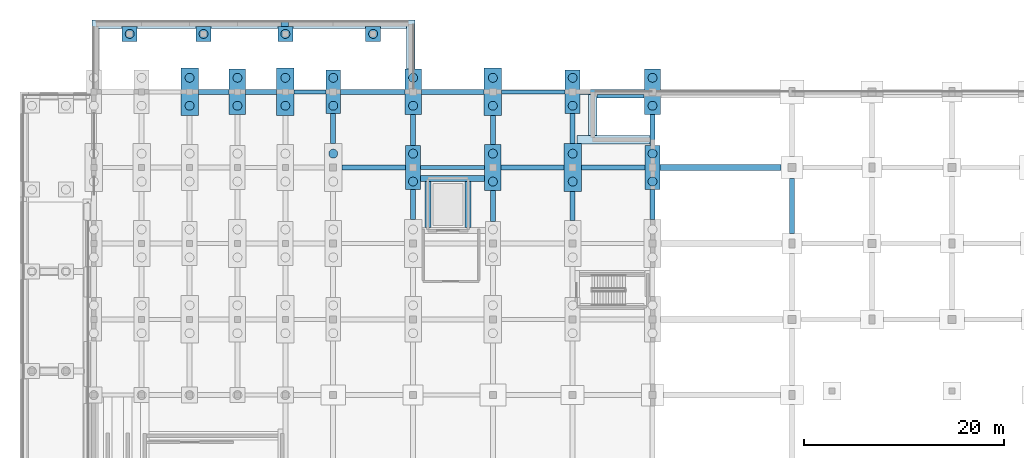
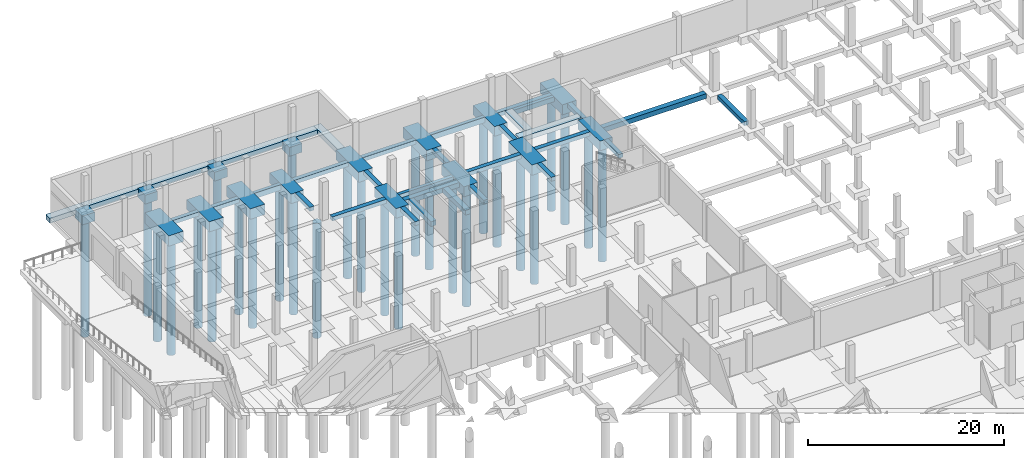
# One storey, part 25 of 50: 50 footings, 29 piles.
"""IFC4 building model written with IfcOpenShell, lengths in metres."""

from ifc_helpers import new_model, si_unit, direction, frame, origin, origin_2d, place, context, subcontext, project, spatial, polyline, rectangle, circle, outline, extrude, material, material_profile, profile_set, type_object, element, save


model = new_model("IFC4")

# Units and contexts
model_context = context("Model", 3, precision=1e-05, world=origin(), true_north=direction((0.0, 1.0)))
body_context = subcontext(model_context, "Body", "Model", "MODEL_VIEW")
ifc_project = project(units=[si_unit("LENGTHUNIT", "METRE"), si_unit("AREAUNIT", "SQUARE_METRE"), si_unit("VOLUMEUNIT", "CUBIC_METRE"), si_unit("PLANEANGLEUNIT", "RADIAN"), si_unit("MASSUNIT", "GRAM", prefix="KILO")], contexts=[model_context])

# Site, building, storey
site_placement = place(None, origin())
site = spatial("IfcSite", under=ifc_project, at=site_placement, CompositionType="ELEMENT")
building_placement = place(site_placement, origin())
building = spatial("IfcBuilding", under=site, at=building_placement, Name="Vekula Escarpment Museum", CompositionType="ELEMENT")
storey_placement = place(building_placement, frame((0.0, 0.0, -4.800048828125)))
storey = spatial("IfcBuildingStorey", under=building, at=storey_placement, Name="B1", CompositionType="ELEMENT", Elevation=-4.800048828125)

# Footings
ifc_material_1 = material(Name="Concrete C35/45", Category="concrete")
footing_type_1 = type_object("IfcFootingType", Name="FB-STRIP-600", PredefinedType="STRIP_FOOTING", material=ifc_material_1)
footing_1_placement = place(storey_placement, frame((0.0, 0.0, -0.599853515625)))
element("IfcFooting", 1, at=footing_1_placement, inside=storey, type_object=footing_type_1, Name="Plinth Wall Strip Footing 0026", PredefinedType="STRIP_FOOTING", context=body_context, shape_type="SweptSolid", body=[
    extrude(outline(polyline([(48.87890625, 130.780029296875), (48.87890625, 130.803955078125), (48.43896484375, 130.803955078125), (48.43896484375, 131.6201171875), (55.74609375, 131.6201171875), (55.74609375, 130.780029296875), (48.87890625, 130.780029296875)])), origin(), (0.0, 0.0, 1.0), 0.599853515625),
])
footing_2_placement = place(storey_placement, frame((0.0, 0.0, -0.599853515625)))
element("IfcFooting", 2, at=footing_2_placement, inside=storey, type_object=footing_type_1, Name="Plinth Wall Strip Footing 0027", PredefinedType="STRIP_FOOTING", context=body_context, shape_type="SweptSolid", body=[
    extrude(outline(polyline([(50.419921875, 131.6240234375), (49.580078125, 131.6240234375), (49.580078125, 135.74609375), (50.419921875, 135.74609375), (50.419921875, 131.6240234375)])), origin(), (0.0, 0.0, 1.0), 0.599853515625),
])
footing_3_placement = place(storey_placement, frame((0.0, 0.0, -0.599853515625)))
element("IfcFooting", 3, at=footing_3_placement, inside=storey, type_object=footing_type_1, Name="Plinth Wall Strip Footing 0118", PredefinedType="STRIP_FOOTING", context=body_context, shape_type="SweptSolid", body=[
    extrude(outline(polyline([(50.424072265625, 135.35498046875), (50.424072265625, 135.74609375), (55.1708984375, 135.74609375), (55.1708984375, 135.35498046875), (50.424072265625, 135.35498046875)])), origin(), (0.0, 0.0, 1.0), 0.599853515625),
])
footing_4_placement = place(storey_placement, frame((0.0, 0.0, -0.599853515625)))
element("IfcFooting", 4, at=footing_4_placement, inside=storey, type_object=footing_type_1, Name="Plinth Wall Strip Footing 0119", PredefinedType="STRIP_FOOTING", context=body_context, shape_type="SweptSolid", body=[
    extrude(outline(polyline([(31.35498046875, 143.195068359375), (32.195068359375, 143.195068359375), (32.195068359375, 138.303955078125), (31.35498046875, 138.303955078125), (31.35498046875, 143.195068359375)])), origin(), (0.0, 0.0, 1.0), 0.599853515625),
])
footing_5_placement = place(storey_placement, frame((0.0, 0.0, -0.599853515625)))
element("IfcFooting", 5, at=footing_5_placement, inside=storey, type_object=footing_type_1, Name="Plinth Wall Strip Footing 0120", PredefinedType="STRIP_FOOTING", context=body_context, shape_type="SweptSolid", body=[
    extrude(outline(polyline([(19.9541015625, 142.35498046875), (19.9541015625, 142.553955078125), (19.513916015625, 142.553955078125), (19.513916015625, 143.195068359375), (31.35107421875, 143.195068359375), (31.35107421875, 142.35498046875), (28.75390625, 142.35498046875), (28.75390625, 142.553955078125), (27.24609375, 142.553955078125), (27.24609375, 142.35498046875), (19.9541015625, 142.35498046875)])), origin(), (0.0, 0.0, 1.0), 0.599853515625),
])
footing_6_placement = place(storey_placement, frame((0.0, 0.0, -0.599853515625)))
element("IfcFooting", 6, at=footing_6_placement, inside=storey, type_object=footing_type_1, Name="Plinth Wall Strip Footing 0121", PredefinedType="STRIP_FOOTING", context=body_context, shape_type="SweptSolid", body=[
    extrude(outline(polyline([(18.760009765625, 143.195068359375), (19.510009765625, 143.195068359375), (19.510009765625, 142.553955078125), (18.760009765625, 142.553955078125), (18.760009765625, 143.195068359375)])), origin(), (0.0, 0.0, 1.0), 0.599853515625),
])
footing_7_placement = place(storey_placement, frame((0.0, 0.0, -0.599853515625)))
element("IfcFooting", 7, at=footing_7_placement, inside=storey, type_object=footing_type_1, Name="Plinth Wall Strip Footing 0122", PredefinedType="STRIP_FOOTING", context=body_context, shape_type="SweptSolid", body=[
    extrude(outline(polyline([(11.75390625, 142.35498046875), (11.75390625, 142.553955078125), (11.31396484375, 142.553955078125), (11.31396484375, 143.195068359375), (18.756103515625, 143.195068359375), (18.756103515625, 142.553955078125), (18.446044921875, 142.553955078125), (18.446044921875, 142.35498046875), (11.75390625, 142.35498046875)])), origin(), (0.0, 0.0, 1.0), 0.599853515625),
])
footing_8_placement = place(storey_placement, frame((0.0, 0.0, -0.599853515625)))
element("IfcFooting", 8, at=footing_8_placement, inside=storey, type_object=footing_type_1, Name="Plinth Wall Strip Footing 0123", PredefinedType="STRIP_FOOTING", context=body_context, shape_type="SweptSolid", body=[
    extrude(outline(polyline([(4.35400390625, 142.35498046875), (4.35400390625, 142.553955078125), (3.9140625, 142.553955078125), (3.9140625, 143.195068359375), (11.31005859375, 143.195068359375), (11.31005859375, 142.553955078125), (10.24609375, 142.553955078125), (10.24609375, 142.35498046875), (4.35400390625, 142.35498046875)])), origin(), (0.0, 0.0, 1.0), 0.599853515625),
])
footing_9_placement = place(storey_placement, frame((0.0, 0.0, -0.599853515625)))
element("IfcFooting", 9, at=footing_9_placement, inside=storey, type_object=footing_type_1, Name="Plinth Wall Strip Footing 0125", PredefinedType="STRIP_FOOTING", context=body_context, shape_type="SweptSolid", body=[
    extrude(outline(polyline([(-0.195068359375, 142.35498046875), (-0.195068359375, 143.195068359375), (3.909912109375, 143.195068359375), (3.909912109375, 142.553955078125), (2.845947265625, 142.553955078125), (2.845947265625, 142.35498046875), (-0.195068359375, 142.35498046875)])), origin(), (0.0, 0.0, 1.0), 0.599853515625),
])
footing_10_placement = place(storey_placement, frame((0.0, 0.0, -0.599853515625)))
element("IfcFooting", 10, at=footing_10_placement, inside=storey, type_object=footing_type_1, Name="Lift Shaft Strip Footing GL-01 N", PredefinedType="STRIP_FOOTING", context=body_context, shape_type="SweptSolid", body=[
    extrude(outline(polyline([(32.75390625, 127.02001953125), (32.75390625, 127.6201171875), (39.1708984375, 127.6201171875), (39.1708984375, 127.02001953125), (32.75390625, 127.02001953125)])), origin(), (0.0, 0.0, 1.0), 0.599853515625),
])
footing_11_placement = place(storey_placement, frame((0.0, 0.0, -0.599853515625)))
element("IfcFooting", 11, at=footing_11_placement, inside=storey, type_object=footing_type_1, Name="Lift Shaft Strip Footing GL-01 W", PredefinedType="STRIP_FOOTING", context=body_context, shape_type="SweptSolid", body=[
    extrude(outline(polyline([(33.780029296875, 122.384033203125), (33.179931640625, 122.384033203125), (33.179931640625, 127.01611328125), (33.780029296875, 127.01611328125), (33.780029296875, 122.384033203125)])), origin(), (0.0, 0.0, 1.0), 0.599853515625),
])
footing_12_placement = place(storey_placement, frame((0.0, 0.0, -0.599853515625)))
element("IfcFooting", 12, at=footing_12_placement, inside=storey, type_object=footing_type_1, Name="Lift Shaft Strip Footing GL-01 E", PredefinedType="STRIP_FOOTING", context=body_context, shape_type="SweptSolid", body=[
    extrude(outline(polyline([(37.820068359375, 122.384033203125), (37.219970703125, 122.384033203125), (37.219970703125, 127.01611328125), (37.820068359375, 127.01611328125), (37.820068359375, 122.384033203125)])), origin(), (0.0, 0.0, 1.0), 0.599853515625),
])
ifc_material_2 = material(Name="Concrete C35/45", Category="concrete")
ifc_material_profile_1 = material_profile(ifc_material_2, rectangle(XDim=0.39990234375, YDim=0.699951171875, at=origin_2d()), Name="RC 400x700")
ifc_profile_set_1 = profile_set([ifc_material_profile_1], Name="Concrete C35/45")
footing_type_2 = type_object("IfcFootingType", Name="FB-TIE-400x700", PredefinedType="FOOTING_BEAM", material=ifc_profile_set_1)
footing_13_placement = place(storey_placement, frame((32.75, 128.39990234375, -0.349853515625), z_axis=(1.0, 0.0, 0.0), x_axis=(0.0, 1.0, 0.0)))
element("IfcFooting", 13, at=footing_13_placement, inside=storey, type_object=footing_type_2, Name="Foundation Tie Beam 363", PredefinedType="FOOTING_BEAM", context=body_context, shape_type="SweptSolid", body=[
    extrude(rectangle(XDim=0.39990234375, YDim=0.699951171875, at=origin_2d()), origin(), (0.0, 0.0, 1.0), 6.425048828125),
])
footing_14_placement = place(storey_placement, frame((20.074951171875, 136.0, -0.349853515625), z_axis=(1.0, 0.0, 0.0), x_axis=(0.0, 1.0, 0.0)))
element("IfcFooting", 14, at=footing_14_placement, inside=storey, type_object=footing_type_2, Name="Foundation Tie Beam 384", PredefinedType="FOOTING_BEAM", context=body_context, shape_type="SweptSolid", body=[
    extrude(rectangle(XDim=0.39990234375, YDim=0.699951171875, at=origin_2d()), origin(), (0.0, 0.0, 1.0), 3.175048828125),
])
footing_15_placement = place(storey_placement, frame((40.875, 136.0, -0.349853515625), z_axis=(1.0, 0.0, 0.0), x_axis=(0.0, 1.0, 0.0)))
element("IfcFooting", 15, at=footing_15_placement, inside=storey, type_object=footing_type_2, Name="Foundation Tie Beam 387", PredefinedType="FOOTING_BEAM", context=body_context, shape_type="SweptSolid", body=[
    extrude(rectangle(XDim=0.39990234375, YDim=0.699951171875, at=origin_2d()), origin(), (0.0, 0.0, 1.0), 6.375),
])
ifc_material_3 = material(Name="Concrete C35/45", Category="concrete")
ifc_material_profile_2 = material_profile(ifc_material_3, rectangle(XDim=0.5, YDim=0.5, at=origin_2d()), Name="RC 500x500")
ifc_profile_set_2 = profile_set([ifc_material_profile_2], Name="Concrete C35/45")
footing_type_3 = type_object("IfcFootingType", Name="FB-TIE-500x500", PredefinedType="FOOTING_BEAM", material=ifc_profile_set_2)
footing_16_placement = place(storey_placement, frame((24.875, 128.39990234375, -0.25), z_axis=(1.0, 0.0, 0.0), x_axis=(0.0, 1.0, 0.0)))
element("IfcFooting", 16, at=footing_16_placement, inside=storey, type_object=footing_type_3, Name="Foundation Tie Beam 362", PredefinedType="FOOTING_BEAM", context=body_context, shape_type="SweptSolid", body=[
    extrude(rectangle(XDim=0.5, YDim=0.5, at=origin_2d()), origin(), (0.0, 0.0, 1.0), 6.375),
])
footing_17_placement = place(storey_placement, frame((40.824951171875, 128.39990234375, -0.25), z_axis=(1.0, 0.0, 0.0), x_axis=(0.0, 1.0, 0.0)))
element("IfcFooting", 17, at=footing_17_placement, inside=storey, type_object=footing_type_3, Name="Foundation Tie Beam 364", PredefinedType="FOOTING_BEAM", context=body_context, shape_type="SweptSolid", body=[
    extrude(rectangle(XDim=0.5, YDim=0.5, at=origin_2d()), origin(), (0.0, 0.0, 1.0), 6.300048828125),
])
footing_18_placement = place(storey_placement, frame((48.875, 128.39990234375, -0.25), z_axis=(1.0, 0.0, 0.0), x_axis=(0.0, 1.0, 0.0)))
element("IfcFooting", 18, at=footing_18_placement, inside=storey, type_object=footing_type_3, Name="Foundation Tie Beam 365", PredefinedType="FOOTING_BEAM", context=body_context, shape_type="SweptSolid", body=[
    extrude(rectangle(XDim=0.5, YDim=0.5, at=origin_2d()), origin(), (0.0, 0.0, 1.0), 6.375),
])
for number, where, z_axis, x_axis, name in (
    (19, (10.47509765625, 136.0, -0.25), (1.0, 0.0, 0.0), (0.0, 1.0, 0.0), "Foundation Tie Beam 382"),
    (20, (15.22509765625, 136.0, -0.25), (1.0, 0.0, 0.0), (0.0, 1.0, 0.0), "Foundation Tie Beam 383"),
):
    element("IfcFooting", number, at=place(storey_placement, frame(where, z_axis=z_axis, x_axis=x_axis)), inside=storey, type_object=footing_type_3, Name=name, PredefinedType="FOOTING_BEAM", context=body_context, shape_type="SweptSolid", body=[
        extrude(rectangle(XDim=0.5, YDim=0.5, at=origin_2d()), origin(), (0.0, 0.0, 1.0), 3.099853515625),
    ])
footing_19_placement = place(storey_placement, frame((24.75, 136.0, -0.25), z_axis=(1.0, 0.0, 0.0), x_axis=(0.0, 1.0, 0.0)))
element("IfcFooting", 21, at=footing_19_placement, inside=storey, type_object=footing_type_3, Name="Foundation Tie Beam 385", PredefinedType="FOOTING_BEAM", context=body_context, shape_type="SweptSolid", body=[
    extrude(rectangle(XDim=0.5, YDim=0.5, at=origin_2d()), origin(), (0.0, 0.0, 1.0), 6.425048828125),
])
footing_20_placement = place(storey_placement, frame((32.824951171875, 136.0, -0.25), z_axis=(1.0, 0.0, 0.0), x_axis=(0.0, 1.0, 0.0)))
element("IfcFooting", 22, at=footing_20_placement, inside=storey, type_object=footing_type_3, Name="Foundation Tie Beam 386", PredefinedType="FOOTING_BEAM", context=body_context, shape_type="SweptSolid", body=[
    extrude(rectangle(XDim=0.5, YDim=0.5, at=origin_2d()), origin(), (0.0, 0.0, 1.0), 6.300048828125),
])
footing_21_placement = place(storey_placement, frame((48.75, 136.0, -0.25), z_axis=(1.0, 0.0, 0.0), x_axis=(0.0, 1.0, 0.0)))
element("IfcFooting", 23, at=footing_21_placement, inside=storey, type_object=footing_type_3, Name="Foundation Tie Beam 388", PredefinedType="FOOTING_BEAM", context=body_context, shape_type="SweptSolid", body=[
    extrude(rectangle(XDim=0.5, YDim=0.5, at=origin_2d()), origin(), (0.0, 0.0, 1.0), 6.425048828125),
])
for number, where, z_axis, x_axis, name in (
    (24, (24.0, 130.800048828125, -0.25), (0.0, 1.0, 0.0), (-1.0, 0.0, 0.0), "Foundation Tie Beam 477"),
    (25, (32.0, 123.199951171875, -0.25), (0.0, 1.0, 0.0), (-1.0, 0.0, 0.0), "Foundation Tie Beam 494"),
):
    element("IfcFooting", number, at=place(storey_placement, frame(where, z_axis=z_axis, x_axis=x_axis)), inside=storey, type_object=footing_type_3, Name=name, PredefinedType="FOOTING_BEAM", context=body_context, shape_type="SweptSolid", body=[
        extrude(rectangle(XDim=0.5, YDim=0.5, at=origin_2d()), origin(), (0.0, 0.0, 1.0), 3.0),
    ])
footing_22_placement = place(storey_placement, frame((32.0, 130.60009765625, -0.25), z_axis=(0.0, 1.0, 0.0), x_axis=(-1.0, 0.0, 0.0)))
element("IfcFooting", 26, at=footing_22_placement, inside=storey, type_object=footing_type_3, Name="Foundation Tie Beam 495", PredefinedType="FOOTING_BEAM", context=body_context, shape_type="SweptSolid", body=[
    extrude(rectangle(XDim=0.5, YDim=0.5, at=origin_2d()), origin(), (0.0, 0.0, 1.0), 3.099853515625),
])
footing_23_placement = place(storey_placement, frame((40.0, 123.0, -0.25), z_axis=(0.0, 1.0, 0.0), x_axis=(-1.0, 0.0, 0.0)))
element("IfcFooting", 27, at=footing_23_placement, inside=storey, type_object=footing_type_3, Name="Foundation Tie Beam 512", PredefinedType="FOOTING_BEAM", context=body_context, shape_type="SweptSolid", body=[
    extrude(rectangle(XDim=0.5, YDim=0.5, at=origin_2d()), origin(), (0.0, 0.0, 1.0), 3.10009765625),
])
footing_24_placement = place(storey_placement, frame((40.0, 130.699951171875, -0.25), z_axis=(0.0, 1.0, 0.0), x_axis=(-1.0, 0.0, 0.0)))
element("IfcFooting", 28, at=footing_24_placement, inside=storey, type_object=footing_type_3, Name="Foundation Tie Beam 513", PredefinedType="FOOTING_BEAM", context=body_context, shape_type="SweptSolid", body=[
    extrude(rectangle(XDim=0.5, YDim=0.5, at=origin_2d()), origin(), (0.0, 0.0, 1.0), 2.900146484375),
])
footing_25_placement = place(storey_placement, frame((48.0, 123.10009765625, -0.25), z_axis=(0.0, 1.0, 0.0), x_axis=(-1.0, 0.0, 0.0)))
element("IfcFooting", 29, at=footing_25_placement, inside=storey, type_object=footing_type_3, Name="Foundation Tie Beam 530", PredefinedType="FOOTING_BEAM", context=body_context, shape_type="SweptSolid", body=[
    extrude(rectangle(XDim=0.5, YDim=0.5, at=origin_2d()), origin(), (0.0, 0.0, 1.0), 2.89990234375),
])
for number, where, z_axis, x_axis, name in (
    (30, (48.0, 130.800048828125, -0.25), (0.0, 1.0, 0.0), (-1.0, 0.0, 0.0), "Foundation Tie Beam 531"),
    (31, (56.0, 123.199951171875, -0.25), (0.0, 1.0, 0.0), (-1.0, 0.0, 0.0), "Foundation Tie Beam 548"),
):
    element("IfcFooting", number, at=place(storey_placement, frame(where, z_axis=z_axis, x_axis=x_axis)), inside=storey, type_object=footing_type_3, Name=name, PredefinedType="FOOTING_BEAM", context=body_context, shape_type="SweptSolid", body=[
        extrude(rectangle(XDim=0.5, YDim=0.5, at=origin_2d()), origin(), (0.0, 0.0, 1.0), 3.0),
    ])
footing_26_placement = place(storey_placement, frame((56.0, 130.60009765625, -0.25), z_axis=(0.0, 1.0, 0.0), x_axis=(-1.0, 0.0, 0.0)))
element("IfcFooting", 32, at=footing_26_placement, inside=storey, type_object=footing_type_3, Name="Foundation Tie Beam 549", PredefinedType="FOOTING_BEAM", context=body_context, shape_type="SweptSolid", body=[
    extrude(rectangle(XDim=0.5, YDim=0.5, at=origin_2d()), origin(), (0.0, 0.0, 1.0), 3.099853515625),
])
footing_27_placement = place(storey_placement, frame((70.0, 121.800048828125, -0.25), z_axis=(0.0, 1.0, 0.0), x_axis=(-1.0, 0.0, 0.0)))
element("IfcFooting", 33, at=footing_27_placement, inside=storey, type_object=footing_type_3, Name="Foundation Tie Beam 566", PredefinedType="FOOTING_BEAM", context=body_context, shape_type="SweptSolid", body=[
    extrude(rectangle(XDim=0.5, YDim=0.5, at=origin_2d()), origin(), (0.0, 0.0, 1.0), 5.5),
])
ifc_material_4 = material(Name="Concrete C35/45", Category="concrete")
ifc_material_profile_3 = material_profile(ifc_material_4, rectangle(XDim=0.60009765625, YDim=0.60009765625, at=origin_2d()), Name="RC 600x600")
ifc_profile_set_3 = profile_set([ifc_material_profile_3], Name="Concrete C35/45")
footing_type_4 = type_object("IfcFootingType", Name="FB-TIE-600x600", PredefinedType="FOOTING_BEAM", material=ifc_profile_set_3)
footing_28_placement = place(storey_placement, frame((56.75, 128.39990234375, -0.300048828125), z_axis=(1.0, 0.0, 0.0), x_axis=(0.0, 1.0, 0.0)))
element("IfcFooting", 34, at=footing_28_placement, inside=storey, type_object=footing_type_4, Name="Foundation Tie Beam 366", PredefinedType="FOOTING_BEAM", context=body_context, shape_type="SweptSolid", body=[
    extrude(rectangle(XDim=0.60009765625, YDim=0.60009765625, at=origin_2d()), origin(), (0.0, 0.0, 1.0), 12.14990234375),
])
ifc_material_5 = material(Name="Concrete C35/45", Category="concrete")
footing_type_5 = type_object("IfcFootingType", Name="FC-PC1A", PredefinedType="PILE_CAP", material=ifc_material_5)
footing_29_placement = place(storey_placement, frame((0.0, 0.0, -1.099853515625)))
element("IfcFooting", 35, at=footing_29_placement, inside=storey, type_object=footing_type_5, Name="Dock Apron Pile Cap 1", PredefinedType="PILE_CAP", context=body_context, shape_type="SweptSolid", body=[
    extrude(outline(polyline([(2.85009765625, 141.050048828125), (4.35009765625, 141.050048828125), (4.35009765625, 142.550048828125), (2.85009765625, 142.550048828125), (2.85009765625, 141.050048828125)])), origin(), (0.0, 0.0, 1.0), 1.099853515625),
])
footing_30_placement = place(storey_placement, frame((0.0, 0.0, -1.099853515625)))
element("IfcFooting", 36, at=footing_30_placement, inside=storey, type_object=footing_type_5, Name="Dock Apron Pile Cap 2", PredefinedType="PILE_CAP", context=body_context, shape_type="SweptSolid", body=[
    extrude(outline(polyline([(10.25, 141.050048828125), (11.75, 141.050048828125), (11.75, 142.550048828125), (10.25, 142.550048828125), (10.25, 141.050048828125)])), origin(), (0.0, 0.0, 1.0), 1.099853515625),
])
footing_31_placement = place(storey_placement, frame((0.0, 0.0, -1.099853515625)))
element("IfcFooting", 37, at=footing_31_placement, inside=storey, type_object=footing_type_5, Name="Dock Apron Pile Cap 3", PredefinedType="PILE_CAP", context=body_context, shape_type="SweptSolid", body=[
    extrude(outline(polyline([(18.449951171875, 141.050048828125), (19.949951171875, 141.050048828125), (19.949951171875, 142.550048828125), (18.449951171875, 142.550048828125), (18.449951171875, 141.050048828125)])), origin(), (0.0, 0.0, 1.0), 1.099853515625),
])
footing_32_placement = place(storey_placement, frame((0.0, 0.0, -1.099853515625)))
element("IfcFooting", 38, at=footing_32_placement, inside=storey, type_object=footing_type_5, Name="Dock Apron Pile Cap 4", PredefinedType="PILE_CAP", context=body_context, shape_type="SweptSolid", body=[
    extrude(outline(polyline([(27.25, 141.050048828125), (28.75, 141.050048828125), (28.75, 142.550048828125), (27.25, 142.550048828125), (27.25, 141.050048828125)])), origin(), (0.0, 0.0, 1.0), 1.099853515625),
])
ifc_material_6 = material(Name="Concrete C35/45", Category="concrete")
footing_type_6 = type_object("IfcFootingType", Name="FC-PC2Y-A", PredefinedType="PILE_CAP", material=ifc_material_6)
footing_33_placement = place(storey_placement, frame((0.0, 0.0, -1.199951171875)))
element("IfcFooting", 39, at=footing_33_placement, inside=storey, type_object=footing_type_6, Name="Foundation FC-PC2Y-A (24.0,136.0)", PredefinedType="PILE_CAP", context=body_context, shape_type="SweptSolid", body=[
    extrude(outline(polyline([(23.25, 133.800048828125), (24.75, 133.800048828125), (24.75, 138.199951171875), (23.25, 138.199951171875), (23.25, 133.800048828125)])), origin(), (0.0, 0.0, 1.0), 1.199951171875),
])
footing_34_placement = place(storey_placement, frame((0.0, 0.0, -1.199951171875)))
element("IfcFooting", 40, at=footing_34_placement, inside=storey, type_object=footing_type_6, Name="Foundation FC-PC2Y-A (32.0,128.4)", PredefinedType="PILE_CAP", context=body_context, shape_type="SweptSolid", body=[
    extrude(outline(polyline([(31.25, 126.199951171875), (32.75, 126.199951171875), (32.75, 130.60009765625), (31.25, 130.60009765625), (31.25, 126.199951171875)])), origin(), (0.0, 0.0, 1.0), 1.199951171875),
])
footing_35_placement = place(storey_placement, frame((0.0, 0.0, -1.199951171875)))
element("IfcFooting", 41, at=footing_35_placement, inside=storey, type_object=footing_type_6, Name="Foundation FC-PC2Y-A (48.0,136.0)", PredefinedType="PILE_CAP", context=body_context, shape_type="SweptSolid", body=[
    extrude(outline(polyline([(47.25, 133.800048828125), (48.75, 133.800048828125), (48.75, 138.199951171875), (47.25, 138.199951171875), (47.25, 133.800048828125)])), origin(), (0.0, 0.0, 1.0), 1.199951171875),
])
footing_36_placement = place(storey_placement, frame((0.0, 0.0, -1.199951171875)))
element("IfcFooting", 42, at=footing_36_placement, inside=storey, type_object=footing_type_6, Name="Foundation FC-PC2Y-A (56.0,128.4)", PredefinedType="PILE_CAP", context=body_context, shape_type="SweptSolid", body=[
    extrude(outline(polyline([(55.25, 126.199951171875), (56.75, 126.199951171875), (56.75, 130.60009765625), (55.25, 130.60009765625), (55.25, 126.199951171875)])), origin(), (0.0, 0.0, 1.0), 1.199951171875),
])
ifc_material_7 = material(Name="Concrete C35/45", Category="concrete")
footing_type_7 = type_object("IfcFootingType", Name="FC-PC2Y-B", PredefinedType="PILE_CAP", material=ifc_material_7)
footing_37_placement = place(storey_placement, frame((0.0, 0.0, -1.25)))
element("IfcFooting", 43, at=footing_37_placement, inside=storey, type_object=footing_type_7, Name="Foundation FC-PC2Y-B (14.4,136.0)", PredefinedType="PILE_CAP", context=body_context, shape_type="SweptSolid", body=[
    extrude(outline(polyline([(13.574951171875, 133.699951171875), (15.22509765625, 133.699951171875), (15.22509765625, 138.300048828125), (13.574951171875, 138.300048828125), (13.574951171875, 133.699951171875)])), origin(), (0.0, 0.0, 1.0), 1.25),
])
footing_38_placement = place(storey_placement, frame((0.0, 0.0, -1.25)))
element("IfcFooting", 44, at=footing_38_placement, inside=storey, type_object=footing_type_7, Name="Foundation FC-PC2Y-B (32.0,136.0)", PredefinedType="PILE_CAP", context=body_context, shape_type="SweptSolid", body=[
    extrude(outline(polyline([(31.175048828125, 133.699951171875), (32.824951171875, 133.699951171875), (32.824951171875, 138.300048828125), (31.175048828125, 138.300048828125), (31.175048828125, 133.699951171875)])), origin(), (0.0, 0.0, 1.0), 1.25),
])
footing_39_placement = place(storey_placement, frame((0.0, 0.0, -1.25)))
element("IfcFooting", 45, at=footing_39_placement, inside=storey, type_object=footing_type_7, Name="Foundation FC-PC2Y-B (40.0,128.4)", PredefinedType="PILE_CAP", context=body_context, shape_type="SweptSolid", body=[
    extrude(outline(polyline([(39.175048828125, 126.10009765625), (40.824951171875, 126.10009765625), (40.824951171875, 130.699951171875), (39.175048828125, 130.699951171875), (39.175048828125, 126.10009765625)])), origin(), (0.0, 0.0, 1.0), 1.25),
])
footing_40_placement = place(storey_placement, frame((0.0, 0.0, -1.25)))
element("IfcFooting", 46, at=footing_40_placement, inside=storey, type_object=footing_type_7, Name="Foundation FC-PC2Y-B (56.0,136.0)", PredefinedType="PILE_CAP", context=body_context, shape_type="SweptSolid", body=[
    extrude(outline(polyline([(55.175048828125, 133.699951171875), (56.824951171875, 133.699951171875), (56.824951171875, 138.300048828125), (55.175048828125, 138.300048828125), (55.175048828125, 133.699951171875)])), origin(), (0.0, 0.0, 1.0), 1.25),
])
ifc_material_8 = material(Name="Concrete C35/45", Category="concrete")
footing_type_8 = type_object("IfcFootingType", Name="FC-PC2Y-C", PredefinedType="PILE_CAP", material=ifc_material_8)
footing_41_placement = place(storey_placement, frame((0.0, 0.0, -1.300048828125)))
element("IfcFooting", 47, at=footing_41_placement, inside=storey, type_object=footing_type_8, Name="Foundation FC-PC2Y-C (9.6,136.0)", PredefinedType="PILE_CAP", context=body_context, shape_type="SweptSolid", body=[
    extrude(outline(polyline([(8.72509765625, 133.60009765625), (10.47509765625, 133.60009765625), (10.47509765625, 138.39990234375), (8.72509765625, 138.39990234375), (8.72509765625, 133.60009765625)])), origin(), (0.0, 0.0, 1.0), 1.300048828125),
])
footing_42_placement = place(storey_placement, frame((0.0, 0.0, -1.300048828125)))
element("IfcFooting", 48, at=footing_42_placement, inside=storey, type_object=footing_type_8, Name="Foundation FC-PC2Y-C (19.2,136.0)", PredefinedType="PILE_CAP", context=body_context, shape_type="SweptSolid", body=[
    extrude(outline(polyline([(18.324951171875, 133.60009765625), (20.074951171875, 133.60009765625), (20.074951171875, 138.39990234375), (18.324951171875, 138.39990234375), (18.324951171875, 133.60009765625)])), origin(), (0.0, 0.0, 1.0), 1.300048828125),
])
footing_43_placement = place(storey_placement, frame((0.0, 0.0, -1.300048828125)))
element("IfcFooting", 49, at=footing_43_placement, inside=storey, type_object=footing_type_8, Name="Foundation FC-PC2Y-C (40.0,136.0)", PredefinedType="PILE_CAP", context=body_context, shape_type="SweptSolid", body=[
    extrude(outline(polyline([(39.125, 133.60009765625), (40.875, 133.60009765625), (40.875, 138.39990234375), (39.125, 138.39990234375), (39.125, 133.60009765625)])), origin(), (0.0, 0.0, 1.0), 1.300048828125),
])
footing_44_placement = place(storey_placement, frame((0.0, 0.0, -1.300048828125)))
element("IfcFooting", 50, at=footing_44_placement, inside=storey, type_object=footing_type_8, Name="Foundation FC-PC2Y-C (48.0,128.4)", PredefinedType="PILE_CAP", context=body_context, shape_type="SweptSolid", body=[
    extrude(outline(polyline([(47.125, 126.0), (48.875, 126.0), (48.875, 130.800048828125), (47.125, 130.800048828125), (47.125, 126.0)])), origin(), (0.0, 0.0, 1.0), 1.300048828125),
])

# Piles
ifc_material_9 = material(Name="Concrete C35/45", Category="concrete")
ifc_material_profile_4 = material_profile(ifc_material_9, circle(Radius=0.449951171875, at=origin_2d()), Name="BORED PILE 900")
ifc_profile_set_4 = profile_set([ifc_material_profile_4], Name="Concrete C35/45")
pile_type = type_object("IfcPileType", Name="PILE-B900", PredefinedType="BORED", material=ifc_profile_set_4)
for number, where, z_axis, x_axis, name in (
    (51, (9.60009765625, 134.60009765625, -1.199951171875), (0.0, 0.0, -1.0), (1.0, 0.0, 0.0), "Bored Pile (9.6,134.6)"),
    (52, (9.60009765625, 137.39990234375, -1.199951171875), (0.0, 0.0, -1.0), (1.0, 0.0, 0.0), "Bored Pile (9.6,137.4)"),
):
    element("IfcPile", number, at=place(storey_placement, frame(where, z_axis=z_axis, x_axis=x_axis)), inside=storey, type_object=pile_type, Name=name, PredefinedType="BORED", context=body_context, shape_type="SweptSolid", body=[
        extrude(circle(Radius=0.449951171875, at=origin_2d()), origin(), (0.0, 0.0, 1.0), 14.300048828125),
    ])
for number, where, z_axis, x_axis, name in (
    (53, (14.39990234375, 134.60009765625, -1.14990234375), (0.0, 0.0, -1.0), (1.0, 0.0, 0.0), "Bored Pile (14.4,134.6)"),
    (54, (14.39990234375, 137.39990234375, -1.14990234375), (0.0, 0.0, -1.0), (1.0, 0.0, 0.0), "Bored Pile (14.4,137.4)"),
):
    element("IfcPile", number, at=place(storey_placement, frame(where, z_axis=z_axis, x_axis=x_axis)), inside=storey, type_object=pile_type, Name=name, PredefinedType="BORED", context=body_context, shape_type="SweptSolid", body=[
        extrude(circle(Radius=0.449951171875, at=origin_2d()), origin(), (0.0, 0.0, 1.0), 14.35009765625),
    ])
for number, where, z_axis, x_axis, name in (
    (55, (19.199951171875, 134.60009765625, -1.199951171875), (0.0, 0.0, -1.0), (1.0, 0.0, 0.0), "Bored Pile (19.2,134.6)"),
    (56, (19.199951171875, 137.39990234375, -1.199951171875), (0.0, 0.0, -1.0), (1.0, 0.0, 0.0), "Bored Pile (19.2,137.4)"),
    (57, (24.0, 129.800048828125, -1.199951171875), (0.0, 0.0, -1.0), (1.0, 0.0, 0.0), "Bored Pile (24.0,129.8)"),
):
    element("IfcPile", number, at=place(storey_placement, frame(where, z_axis=z_axis, x_axis=x_axis)), inside=storey, type_object=pile_type, Name=name, PredefinedType="BORED", context=body_context, shape_type="SweptSolid", body=[
        extrude(circle(Radius=0.449951171875, at=origin_2d()), origin(), (0.0, 0.0, 1.0), 14.300048828125),
    ])
for number, where, z_axis, x_axis, name in (
    (58, (24.0, 134.60009765625, -1.099853515625), (0.0, 0.0, -1.0), (1.0, 0.0, 0.0), "Bored Pile (24.0,134.6)"),
    (59, (24.0, 137.39990234375, -1.099853515625), (0.0, 0.0, -1.0), (1.0, 0.0, 0.0), "Bored Pile (24.0,137.4)"),
    (60, (32.0, 127.0, -1.099853515625), (0.0, 0.0, -1.0), (1.0, 0.0, 0.0), "Bored Pile (32.0,127.0)"),
    (61, (32.0, 129.800048828125, -1.099853515625), (0.0, 0.0, -1.0), (1.0, 0.0, 0.0), "Bored Pile (32.0,129.8)"),
):
    element("IfcPile", number, at=place(storey_placement, frame(where, z_axis=z_axis, x_axis=x_axis)), inside=storey, type_object=pile_type, Name=name, PredefinedType="BORED", context=body_context, shape_type="SweptSolid", body=[
        extrude(circle(Radius=0.449951171875, at=origin_2d()), origin(), (0.0, 0.0, 1.0), 14.39990234375),
    ])
for number, where, z_axis, x_axis, name in (
    (62, (32.0, 134.60009765625, -1.14990234375), (0.0, 0.0, -1.0), (1.0, 0.0, 0.0), "Bored Pile (32.0,134.6)"),
    (63, (32.0, 137.39990234375, -1.14990234375), (0.0, 0.0, -1.0), (1.0, 0.0, 0.0), "Bored Pile (32.0,137.4)"),
    (64, (40.0, 127.0, -1.14990234375), (0.0, 0.0, -1.0), (1.0, 0.0, 0.0), "Bored Pile (40.0,127.0)"),
    (65, (40.0, 129.800048828125, -1.14990234375), (0.0, 0.0, -1.0), (1.0, 0.0, 0.0), "Bored Pile (40.0,129.8)"),
):
    element("IfcPile", number, at=place(storey_placement, frame(where, z_axis=z_axis, x_axis=x_axis)), inside=storey, type_object=pile_type, Name=name, PredefinedType="BORED", context=body_context, shape_type="SweptSolid", body=[
        extrude(circle(Radius=0.449951171875, at=origin_2d()), origin(), (0.0, 0.0, 1.0), 14.35009765625),
    ])
for number, where, z_axis, x_axis, name in (
    (66, (40.0, 134.60009765625, -1.199951171875), (0.0, 0.0, -1.0), (1.0, 0.0, 0.0), "Bored Pile (40.0,134.6)"),
    (67, (40.0, 137.39990234375, -1.199951171875), (0.0, 0.0, -1.0), (1.0, 0.0, 0.0), "Bored Pile (40.0,137.4)"),
    (68, (48.0, 127.0, -1.199951171875), (0.0, 0.0, -1.0), (1.0, 0.0, 0.0), "Bored Pile (48.0,127.0)"),
    (69, (48.0, 129.800048828125, -1.199951171875), (0.0, 0.0, -1.0), (1.0, 0.0, 0.0), "Bored Pile (48.0,129.8)"),
):
    element("IfcPile", number, at=place(storey_placement, frame(where, z_axis=z_axis, x_axis=x_axis)), inside=storey, type_object=pile_type, Name=name, PredefinedType="BORED", context=body_context, shape_type="SweptSolid", body=[
        extrude(circle(Radius=0.449951171875, at=origin_2d()), origin(), (0.0, 0.0, 1.0), 14.300048828125),
    ])
for number, where, z_axis, x_axis, name in (
    (70, (48.0, 134.60009765625, -1.099853515625), (0.0, 0.0, -1.0), (1.0, 0.0, 0.0), "Bored Pile (48.0,134.6)"),
    (71, (48.0, 137.39990234375, -1.099853515625), (0.0, 0.0, -1.0), (1.0, 0.0, 0.0), "Bored Pile (48.0,137.4)"),
    (72, (56.0, 127.0, -1.099853515625), (0.0, 0.0, -1.0), (1.0, 0.0, 0.0), "Bored Pile (56.0,127.0)"),
    (73, (56.0, 129.800048828125, -1.099853515625), (0.0, 0.0, -1.0), (1.0, 0.0, 0.0), "Bored Pile (56.0,129.8)"),
):
    element("IfcPile", number, at=place(storey_placement, frame(where, z_axis=z_axis, x_axis=x_axis)), inside=storey, type_object=pile_type, Name=name, PredefinedType="BORED", context=body_context, shape_type="SweptSolid", body=[
        extrude(circle(Radius=0.449951171875, at=origin_2d()), origin(), (0.0, 0.0, 1.0), 14.39990234375),
    ])
for number, where, z_axis, x_axis, name in (
    (74, (56.0, 134.60009765625, -1.14990234375), (0.0, 0.0, -1.0), (1.0, 0.0, 0.0), "Bored Pile (56.0,134.6)"),
    (75, (56.0, 137.39990234375, -1.14990234375), (0.0, 0.0, -1.0), (1.0, 0.0, 0.0), "Bored Pile (56.0,137.4)"),
):
    element("IfcPile", number, at=place(storey_placement, frame(where, z_axis=z_axis, x_axis=x_axis)), inside=storey, type_object=pile_type, Name=name, PredefinedType="BORED", context=body_context, shape_type="SweptSolid", body=[
        extrude(circle(Radius=0.449951171875, at=origin_2d()), origin(), (0.0, 0.0, 1.0), 14.35009765625),
    ])
for number, where, z_axis, x_axis, name in (
    (76, (3.60009765625, 141.800048828125, -1.0), (0.0, 0.0, -1.0), (1.0, 0.0, 0.0), "Dock Apron Bored Pile 1"),
    (77, (11.0, 141.800048828125, -1.0), (0.0, 0.0, -1.0), (1.0, 0.0, 0.0), "Dock Apron Bored Pile 2"),
    (78, (19.199951171875, 141.800048828125, -1.0), (0.0, 0.0, -1.0), (1.0, 0.0, 0.0), "Dock Apron Bored Pile 3"),
    (79, (28.0, 141.800048828125, -1.0), (0.0, 0.0, -1.0), (1.0, 0.0, 0.0), "Dock Apron Bored Pile 4"),
):
    element("IfcPile", number, at=place(storey_placement, frame(where, z_axis=z_axis, x_axis=x_axis)), inside=storey, type_object=pile_type, Name=name, PredefinedType="BORED", context=body_context, shape_type="SweptSolid", body=[
        extrude(circle(Radius=0.449951171875, at=origin_2d()), origin(), (0.0, 0.0, 1.0), 14.5),
    ])

save(model, "model.ifc")
